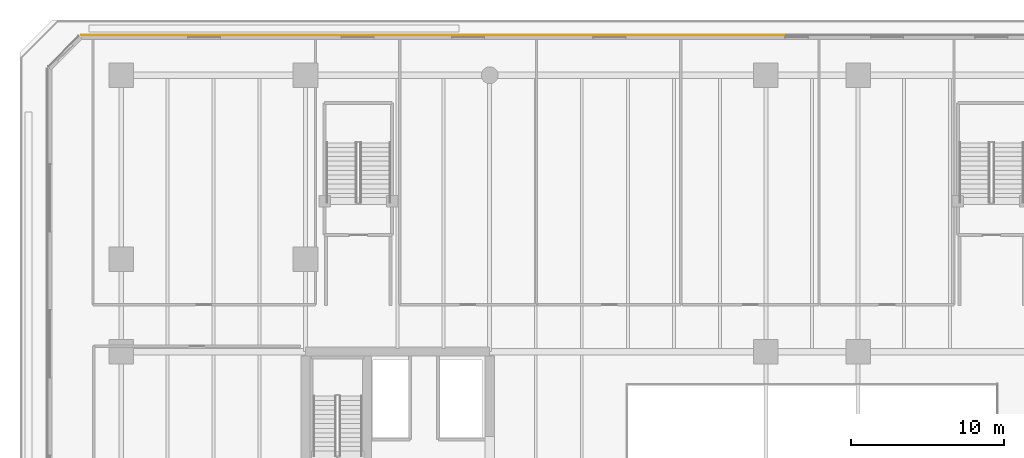
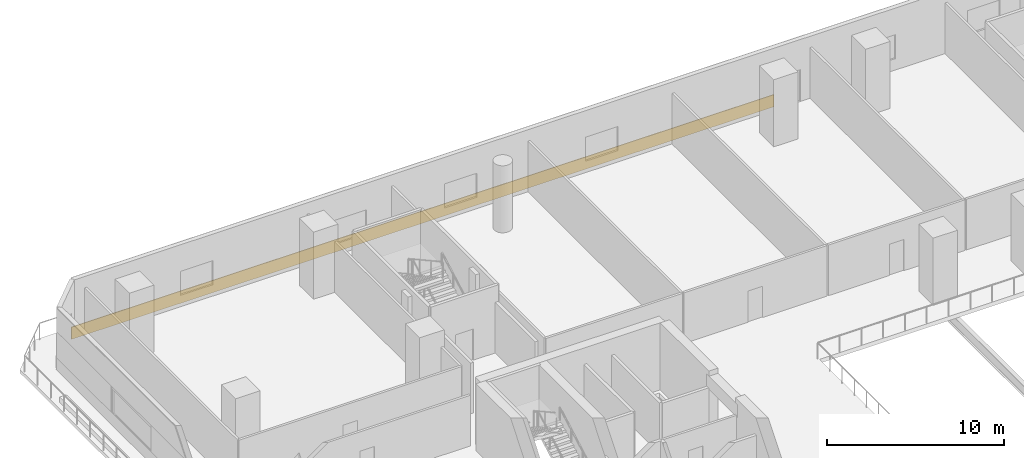
# One storey, part 19 of 27: 1 covering.
"""IFC4 building model written with IfcOpenShell, lengths in metres."""

from ifc_helpers import new_model, si_unit, direction, frame, origin, origin_2d, place, context, subcontext, project, spatial, rectangle, extrude, material, layer, layer_set, type_object, element, save


model = new_model("IFC4")

# Units and contexts
model_context = context("Model", 3, precision=1e-05, world=origin(), true_north=direction((0.0, 1.0)))
body_context = subcontext(model_context, "Body", "Model", "MODEL_VIEW")
ifc_project = project(units=[si_unit("LENGTHUNIT", "METRE"), si_unit("AREAUNIT", "SQUARE_METRE"), si_unit("VOLUMEUNIT", "CUBIC_METRE"), si_unit("PLANEANGLEUNIT", "RADIAN"), si_unit("MASSUNIT", "GRAM", prefix="KILO")], contexts=[model_context])

# Site, building, storey
site_placement = place(None, origin())
site = spatial("IfcSite", under=ifc_project, at=site_placement, CompositionType="ELEMENT")
building_placement = place(site_placement, origin())
building = spatial("IfcBuilding", under=site, at=building_placement, Name="Tanjung Sevakor Pilgrim Tower", CompositionType="ELEMENT")
storey_placement = place(building_placement, frame((0.0, 0.0, 19.469970703125)))
storey = spatial("IfcBuildingStorey", under=building, at=storey_placement, Name="L05", CompositionType="ELEMENT", Elevation=19.469970703125)

# Covering
ifc_material = material(Name="Reconstructed Limestone Cladding", Category="masonry")
ifc_layer = layer(ifc_material, 0.044921875)
ifc_layer_set = layer_set([ifc_layer], Name="COV-CLAD-LIMESTONE")
covering_type = type_object("IfcCoveringType", Name="COV-CLAD-LIMESTONE", PredefinedType="CLADDING", material=ifc_layer_set)
covering_placement = place(storey_placement, frame((32.2939453125, 63.222412109375, 0.009765625), z_axis=(0.0, 0.0, 1.0), x_axis=(-1.0, 0.0, 0.0)))
element("IfcCovering", 1, at=covering_placement, inside=storey, type_object=covering_type, Name="L05 Warm Limestone Sill Spandrel EW-L05-MAIN-5-2", PredefinedType="CLADDING", context=body_context, shape_type="SweptSolid", body=[
    extrude(rectangle(XDim=45.7919921875, YDim=0.044921875, at=origin_2d()), origin(), (0.0, 0.0, 1.0), 0.840087890625),
])

save(model, "model.ifc")
